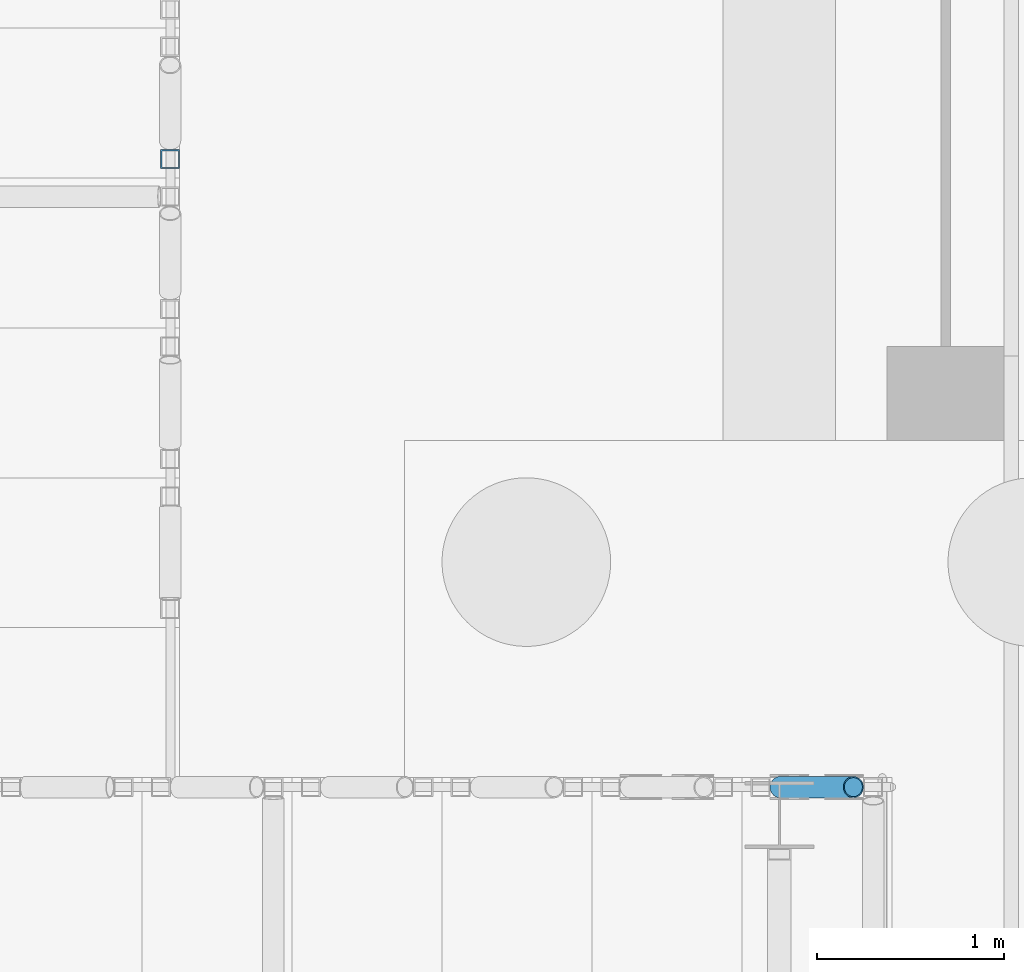
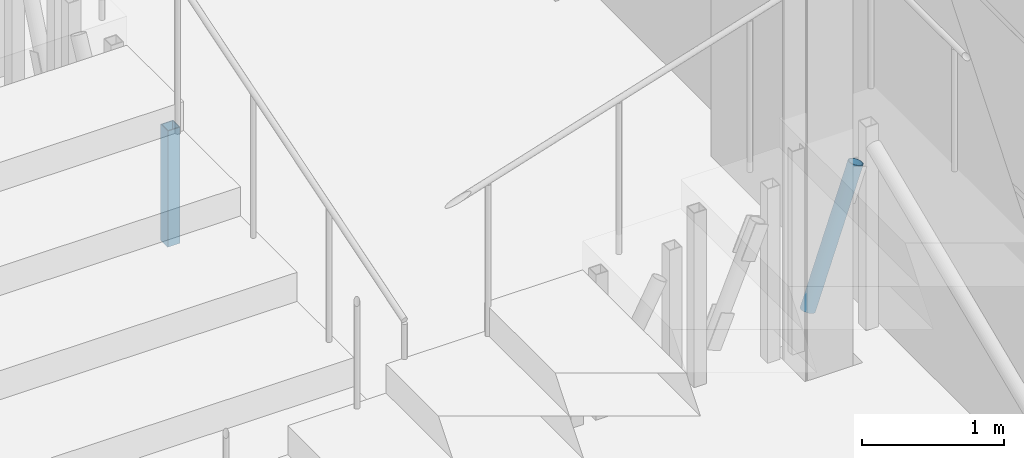
# One storey, part 54 of 139: 2 members.
"""IFC4 building model written with IfcOpenShell, lengths in metres."""

from ifc_helpers import new_model, si_unit, direction, frame, origin, origin_2d, place, context, subcontext, project, spatial, hollow_rectangle, hollow_circle, extrude, material, material_profile, profile_set, type_object, element, save


model = new_model("IFC4")

# Units and contexts
model_context = context("Model", 3, precision=1e-05, world=origin(), true_north=direction((0.0, 1.0)))
body_context = subcontext(model_context, "Body", "Model", "MODEL_VIEW")
ifc_project = project(units=[si_unit("LENGTHUNIT", "METRE"), si_unit("AREAUNIT", "SQUARE_METRE"), si_unit("VOLUMEUNIT", "CUBIC_METRE"), si_unit("PLANEANGLEUNIT", "RADIAN"), si_unit("MASSUNIT", "GRAM", prefix="KILO")], contexts=[model_context])

# Site, building, storey
site_placement = place(None, origin())
site = spatial("IfcSite", under=ifc_project, at=site_placement, CompositionType="ELEMENT")
building_placement = place(site_placement, origin())
building = spatial("IfcBuilding", under=site, at=building_placement, Name="Verrick Yard Athletic Hall", CompositionType="ELEMENT")
storey_placement = place(building_placement, origin())
storey = spatial("IfcBuildingStorey", under=building, at=storey_placement, Name="L00", CompositionType="ELEMENT", Elevation=0.0)

# Members
ifc_material = material(Name="Structural steel HSS Class C 350W (CSA G40.20/G40.21)", Category="steel")
ifc_material_profile_1 = material_profile(ifc_material, hollow_circle(Radius=0.05712890625, WallThickness=0.00634765625, at=origin_2d()), Name="HSS114x6.4")
ifc_profile_set_1 = profile_set([ifc_material_profile_1], Name="Structural steel HSS Class C 350W (CSA G40.20/G40.21)")
member_type_1 = type_object("IfcMemberType", Name="HB roof brace HSS114x6.4", PredefinedType="BRACE", material=ifc_profile_set_1)
member_1_placement = place(storey_placement, frame((169.604736328125, 93.749267578125, 0.30712890625), z_axis=(0.325057042805, 0.0, 0.945694410961), x_axis=(0.0, 1.0, 0.0)))
element("IfcMember", 1, at=member_1_placement, inside=storey, type_object=member_type_1, Name="HB-BRS-RSA2-z8", PredefinedType="BRACE", context=body_context, shape_type="SweptSolid", body=[
    extrude(hollow_circle(Radius=0.05712890625, WallThickness=0.00634765625, at=origin_2d()), origin(), (0.0, 0.0, 1.0), 1.200927734375),
])
ifc_material_profile_2 = material_profile(ifc_material, hollow_rectangle(XDim=0.1015625, YDim=0.1015625, WallThickness=0.00634765625, at=origin_2d()), Name="HSS102x102x6.4")
ifc_profile_set_2 = profile_set([ifc_material_profile_2], Name="Structural steel HSS Class C 350W (CSA G40.20/G40.21)")
member_type_2 = type_object("IfcMemberType", Name="HB seating post HSS102x102x6.4", PredefinedType="POST", material=ifc_profile_set_2)
member_2_placement = place(storey_placement, frame((166.34912109375, 97.10009765625, 0.0), z_axis=(0.0, 0.0, 1.0), x_axis=(0.0, 1.0, 0.0)))
element("IfcMember", 2, at=member_2_placement, inside=storey, type_object=member_type_2, Name="HB-SP-RSA1-T5f13", PredefinedType="POST", context=body_context, shape_type="SweptSolid", body=[
    extrude(hollow_rectangle(XDim=0.1015625, YDim=0.1015625, WallThickness=0.00634765625, at=origin_2d()), origin(), (0.0, 0.0, 1.0), 1.0),
])

save(model, "model.ifc")
